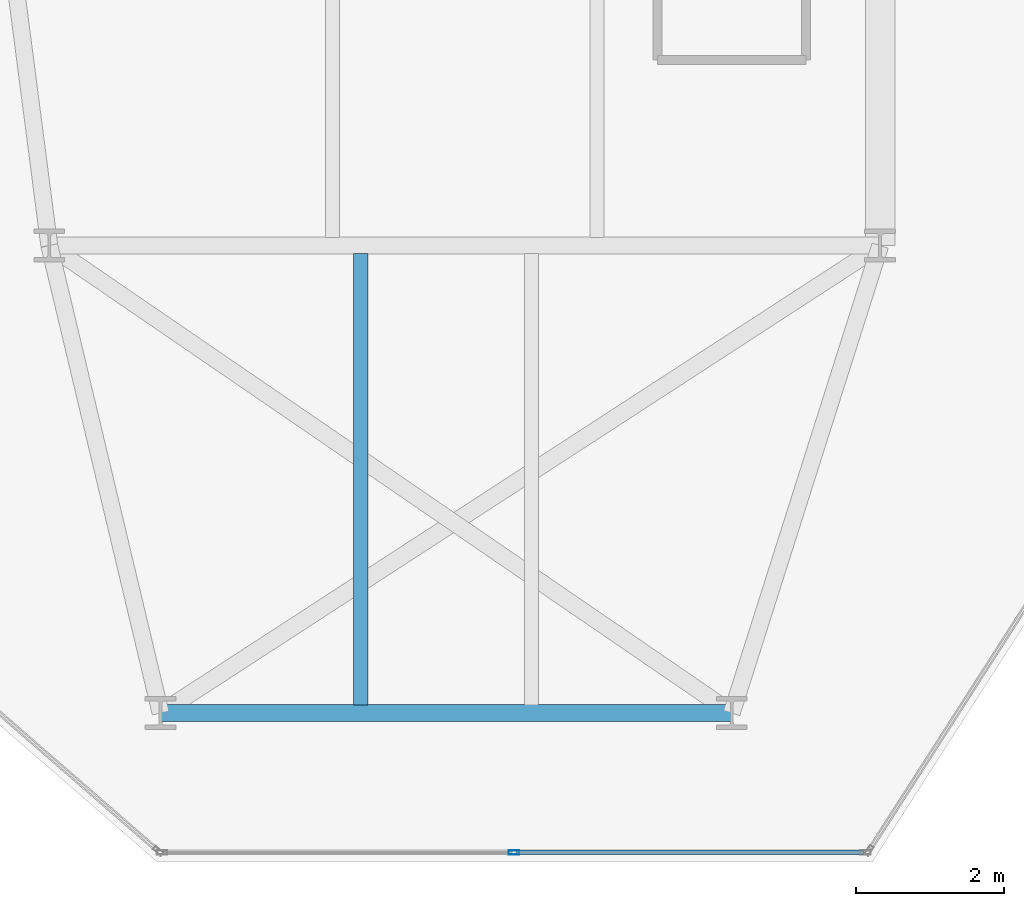
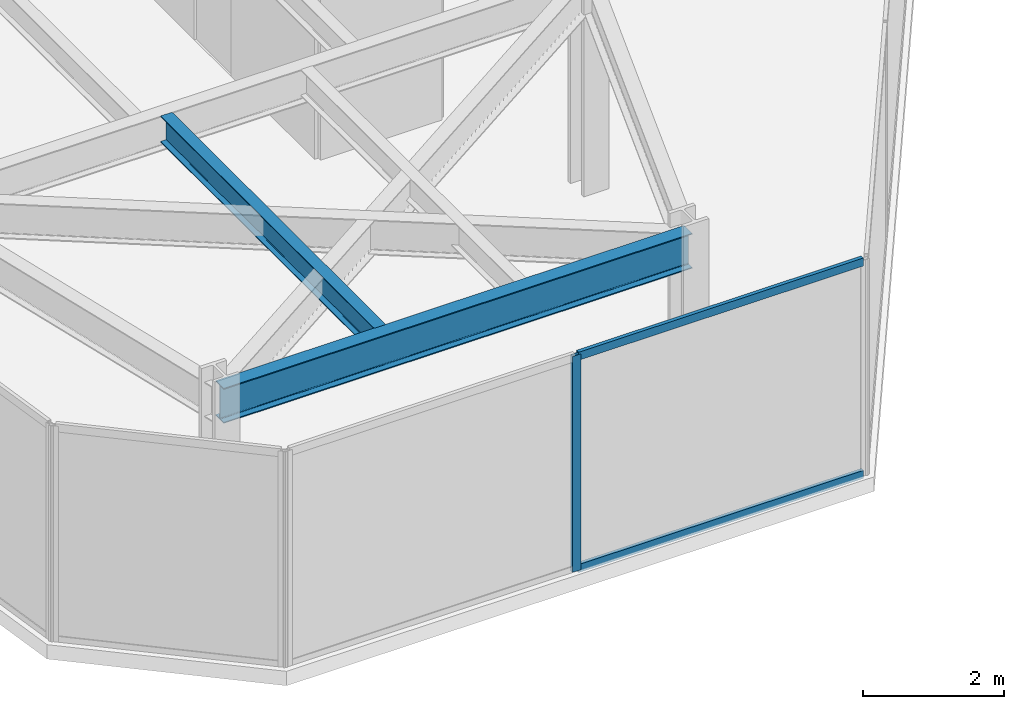
# One storey, part 3 of 26: 3 members, 2 beams, 1 element without a shape of its own.
"""IFC4 building model written with IfcOpenShell, lengths in metres."""

from ifc_helpers import new_model, si_unit, direction, frame, origin, origin_2d, place, context, subcontext, project, spatial, hollow_rectangle, i_section, extrude, material, layer, layer_set, material_profile, profile_set, type_object, element, aggregate, save


model = new_model("IFC4")

# Units and contexts
model_context = context("Model", 3, precision=1e-05, world=origin(), true_north=direction((0.0, 1.0)))
body_context = subcontext(model_context, "Body", "Model", "MODEL_VIEW")
ifc_project = project(units=[si_unit("LENGTHUNIT", "METRE"), si_unit("AREAUNIT", "SQUARE_METRE"), si_unit("VOLUMEUNIT", "CUBIC_METRE"), si_unit("PLANEANGLEUNIT", "RADIAN"), si_unit("MASSUNIT", "GRAM", prefix="KILO")], contexts=[model_context])

# Site, building, storey
site_placement = place(None, origin())
site = spatial("IfcSite", under=ifc_project, at=site_placement, CompositionType="ELEMENT")
building_placement = place(site_placement, origin())
building = spatial("IfcBuilding", under=site, at=building_placement, Name="Kravanh Interchange Tower", CompositionType="ELEMENT")
storey_placement = place(building_placement, frame((0.0, 0.0, 136.0)))
storey = spatial("IfcBuildingStorey", under=building, at=storey_placement, Name="L32", CompositionType="ELEMENT", Elevation=136.0)

# Curtain wall, members
ifc_material_1 = material(Name="Anodised Bronze Aluminium", Category="aluminium")
ifc_layer = layer(ifc_material_1, 0.179931640625)
ifc_layer_set = layer_set([ifc_layer], Name="Unitised Curtain Wall System CW-Z2 Mid Office")
curtain_wall_type = type_object("IfcCurtainWallType", Name="Unitised Curtain Wall System CW-Z2 Mid Office", PredefinedType="NOTDEFINED", material=ifc_layer_set)
curtain_wall_placement = place(storey_placement, origin())
curtain_wall = element("IfcCurtainWall", 1, at=curtain_wall_placement, inside=storey, type_object=curtain_wall_type, Name="L32 Unitised Curtain Wall CW-L32-06", PredefinedType="NOTDEFINED")
ifc_material_2 = material(Name="Anodised Bronze Aluminium", Category="aluminium")
ifc_material_profile_1 = material_profile(ifc_material_2, hollow_rectangle(XDim=0.06005859375, YDim=0.139892578125, WallThickness=0.00390625, at=origin_2d()), Name="ALU60X140X4")
ifc_profile_set_1 = profile_set([ifc_material_profile_1], Name="Anodised Bronze Aluminium")
member_type_1 = type_object("IfcMemberType", Name="Curtain Wall Mullion ALU60X140X4 Bronze", PredefinedType="MULLION", material=ifc_profile_set_1)
member_1_placement = place(storey_placement, frame((22.26220703125, 6.320068359375, 0.0), z_axis=(0.0, 0.0, 1.0), x_axis=(0.0, -1.0, 0.0)))
member_1 = element("IfcMember", 2, at=member_1_placement, type_object=member_type_1, Name="CW-Z2 mullion 2", PredefinedType="MULLION", context=body_context, shape_type="SweptSolid", body=[
    extrude(hollow_rectangle(XDim=0.06005859375, YDim=0.139892578125, WallThickness=0.00390625, at=origin_2d()), origin(), (0.0, 0.0, 1.0), 3.75),
])
ifc_material_3 = material(Name="Anodised Bronze Aluminium", Category="aluminium")
ifc_material_profile_2 = material_profile(ifc_material_3, hollow_rectangle(XDim=0.06005859375, YDim=0.139892578125, WallThickness=0.00390625, at=origin_2d()), Name="ALU60X140X4")
ifc_profile_set_2 = profile_set([ifc_material_profile_2], Name="Anodised Bronze Aluminium")
member_type_2 = type_object("IfcMemberType", Name="Curtain Wall Transom ALU60X140X4 Bronze", PredefinedType="USERDEFINED", material=ifc_profile_set_2)
member_2_placement = place(storey_placement, frame((26.974365234375, 6.320068359375, 0.030029296875), z_axis=(-1.0, 0.0, 0.0), x_axis=(0.0, -1.0, 0.0)))
member_2 = element("IfcMember", 3, at=member_2_placement, type_object=member_type_2, Name="CW-Z2 transom 1.1", ObjectType="TRANSOM", PredefinedType="USERDEFINED", context=body_context, shape_type="SweptSolid", body=[
    extrude(hollow_rectangle(XDim=0.06005859375, YDim=0.139892578125, WallThickness=0.00390625, at=origin_2d()), origin(), (0.0, 0.0, 1.0), 4.682373046875),
])
member_3_placement = place(storey_placement, frame((26.974365234375, 6.320068359375, 3.719970703125), z_axis=(-1.0, 0.0, 0.0), x_axis=(0.0, -1.0, 0.0)))
member_3 = element("IfcMember", 4, at=member_3_placement, type_object=member_type_2, Name="CW-Z2 transom 1.2", ObjectType="TRANSOM", PredefinedType="USERDEFINED", context=body_context, shape_type="SweptSolid", body=[
    extrude(hollow_rectangle(XDim=0.06005859375, YDim=0.139892578125, WallThickness=0.00390625, at=origin_2d()), origin(), (0.0, 0.0, 1.0), 4.682373046875),
])
aggregate(curtain_wall, [member_1, member_2, member_3])

# Beams
ifc_material_4 = material(Name="Structural Steel S355", Category="steel")
ifc_material_profile_3 = material_profile(ifc_material_4, i_section(OverallWidth=0.18994140625, OverallDepth=0.45703125, WebThickness=0.009033203125, FlangeThickness=0.014404296875, FilletRadius=0.01806640625, at=origin_2d()), Name="W18X50")
ifc_profile_set_3 = profile_set([ifc_material_profile_3], Name="Structural Steel S355")
beam_type_1 = type_object("IfcBeamType", Name="Floor Joist W18X50 Structural Steel S355", PredefinedType="JOIST", material=ifc_profile_set_3)
beam_1_placement = place(storey_placement, frame((20.197998046875, 8.30908203125, 3.521484375), z_axis=(0.0, 1.0, 0.0), x_axis=(-1.0, 0.0, 0.0)))
element("IfcBeam", 5, at=beam_1_placement, inside=storey, type_object=beam_type_1, Name="L32 Secondary Floor Joist 1", PredefinedType="JOIST", context=body_context, shape_type="SweptSolid", body=[
    extrude(i_section(OverallWidth=0.18994140625, OverallDepth=0.45703125, WebThickness=0.009033203125, FlangeThickness=0.014404296875, FilletRadius=0.01806640625, at=origin_2d()), origin(), (0.0, 0.0, 1.0), 6.08203125),
])
ifc_material_5 = material(Name="Structural Steel S355", Category="steel")
ifc_material_profile_4 = material_profile(ifc_material_5, i_section(OverallWidth=0.22802734375, OverallDepth=0.60791015625, WebThickness=0.01123046875, FlangeThickness=0.017333984375, FilletRadius=0.02197265625, at=origin_2d()), Name="W24X76")
ifc_profile_set_4 = profile_set([ifc_material_profile_4], Name="Structural Steel S355")
beam_type_2 = type_object("IfcBeamType", Name="Floor Spandrel W24X76 Structural Steel S355", PredefinedType="SPANDREL", material=ifc_profile_set_4)
beam_2_placement = place(storey_placement, frame((17.5, 8.199951171875, 3.446044921875), z_axis=(1.0, 0.0, 0.0), x_axis=(0.0, 1.0, 0.0)))
element("IfcBeam", 6, at=beam_2_placement, inside=storey, type_object=beam_type_2, Name="L32 Perimeter Spandrel 35", PredefinedType="SPANDREL", context=body_context, shape_type="SweptSolid", body=[
    extrude(i_section(OverallWidth=0.22802734375, OverallDepth=0.60791015625, WebThickness=0.01123046875, FlangeThickness=0.017333984375, FilletRadius=0.02197265625, at=origin_2d()), origin(), (0.0, 0.0, 1.0), 7.699951171875),
])

save(model, "model.ifc")
